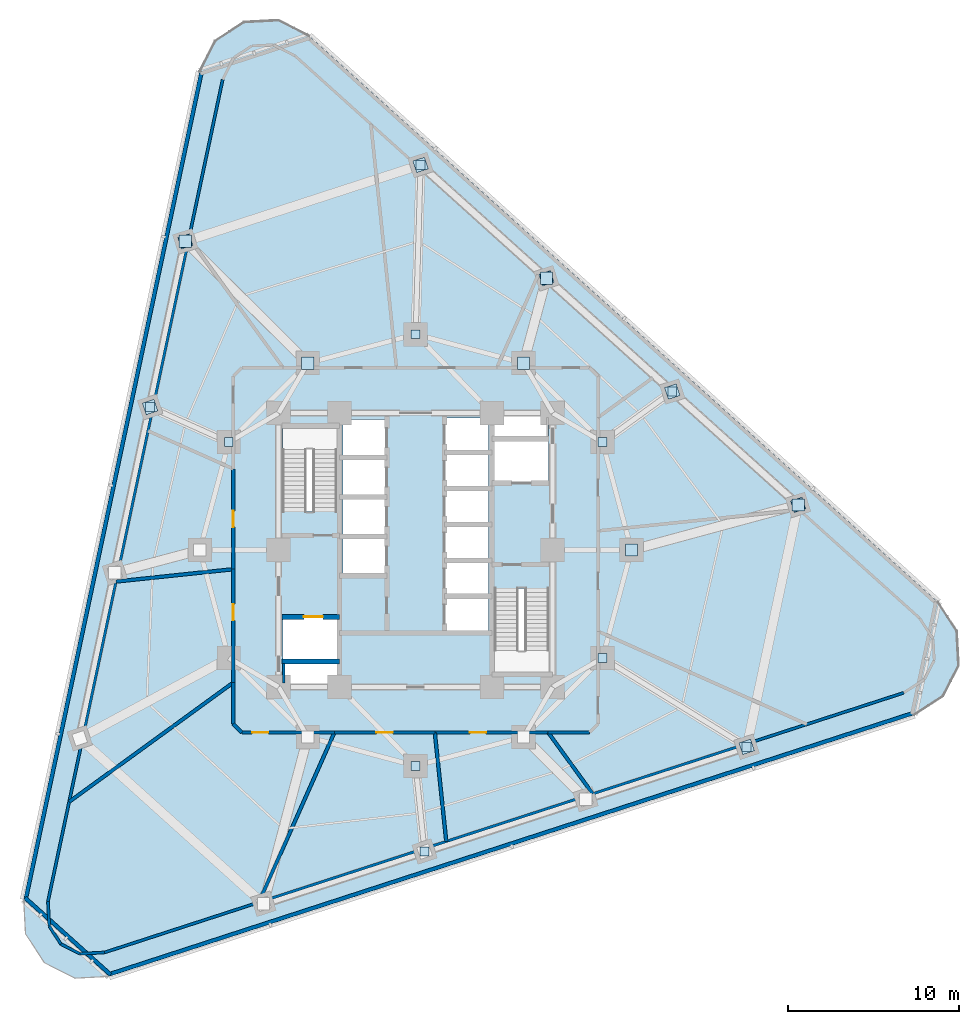
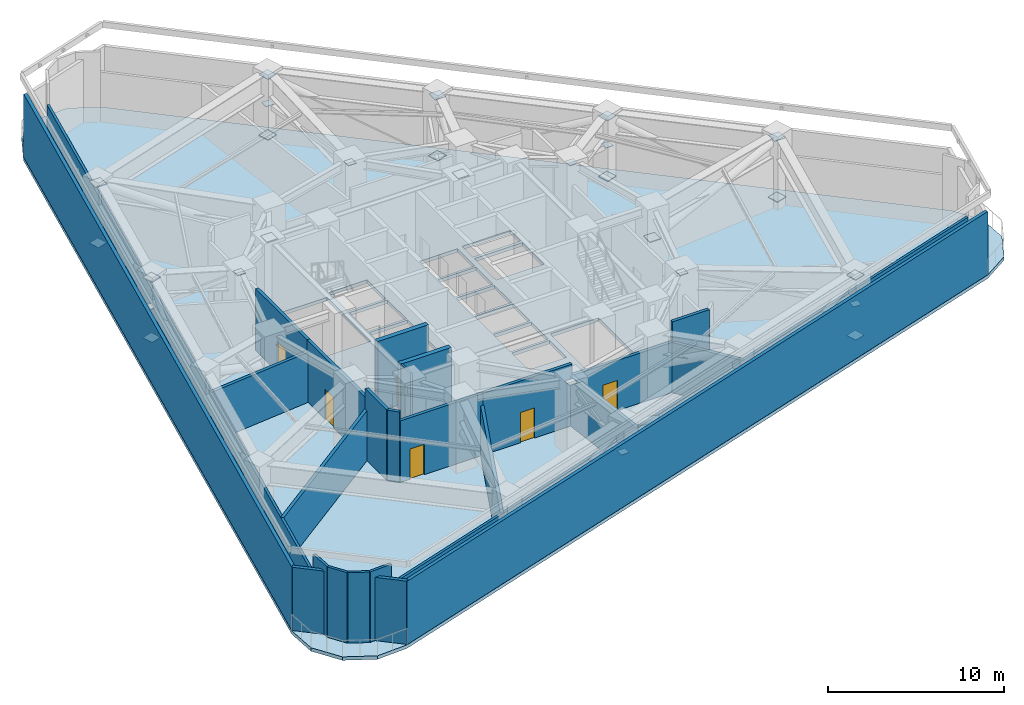
# One storey, part 3 of 10: 27 plates, 25 walls, 6 doors, 1 slab, 6 openings.
"""IFC4 building model written with IfcOpenShell, lengths in metres."""

from ifc_helpers import new_model, si_unit, direction, frame, frame_2d, origin, origin_2d, place, context, subcontext, project, spatial, polyline, rectangle, outline, extrude, material, layer, layer_set, type_object, element, fill, save


model = new_model("IFC4")

# Units and contexts
model_context = context("Model", 3, precision=1e-05, world=origin(), true_north=direction((0.0, 1.0)))
body_context = subcontext(model_context, "Body", "Model", "MODEL_VIEW")
ifc_project = project(units=[si_unit("LENGTHUNIT", "METRE"), si_unit("AREAUNIT", "SQUARE_METRE"), si_unit("VOLUMEUNIT", "CUBIC_METRE"), si_unit("PLANEANGLEUNIT", "RADIAN"), si_unit("MASSUNIT", "GRAM", prefix="KILO")], contexts=[model_context])

# Site, building, storey
site_placement = place(None, origin())
site = spatial("IfcSite", under=ifc_project, at=site_placement, CompositionType="ELEMENT")
building_placement = place(site_placement, origin())
building = spatial("IfcBuilding", under=site, at=building_placement, Name="Terralouvre Media Tower", CompositionType="ELEMENT")
storey_placement = place(building_placement, frame((0.0, 0.0, 85.199951171875)))
storey = spatial("IfcBuildingStorey", under=building, at=storey_placement, Name="L21", CompositionType="ELEMENT", Elevation=85.199951171875)

# Plates
ifc_material_1 = material(Name="Structural steel S355J2", Category="steel")
ifc_layer_1 = layer(ifc_material_1, 0.028076171875, Name="Crown Rib End-Cap Node Plate ND-CR1")
ifc_layer_set_1 = layer_set([ifc_layer_1], Name="Structural steel S355J2")
plate_type_1 = type_object("IfcPlateType", Name="Crown Rib End-Cap Node Plate ND-CR1", PredefinedType="SHEET", material=ifc_layer_set_1)
for number, where, z_axis, x_axis, name in (
    (1, (0.0, -12.60009765625, 4.5361328125), (0.0, 0.0, 1.0), (1.0, 0.0, 0.0), "L21 Strut Base Plate 01"),
    (2, (0.52099609375, -17.6025390625, 2.5361328125), (0.0, 0.0, 1.0), (1.0, 0.0, 0.0), "L21 Strut Top Plate 01"),
    (3, (10.911865234375, -6.300048828125, 4.5361328125), (0.0, 0.0, 1.0), (1.0, 0.0, 0.0), "L21 Strut Base Plate 02"),
    (4, (19.3291015625, -11.491455078125, 2.5361328125), (0.0, 0.0, 1.0), (1.0, 0.0, 0.0), "L21 Strut Top Plate 02"),
    (5, (10.911865234375, 6.300048828125, 4.5361328125), (0.0, 0.0, 1.0), (1.0, 0.0, 0.0), "L21 Strut Base Plate 03"),
    (6, (14.98388671875, 9.25244140625, 2.5361328125), (0.0, 0.0, 1.0), (1.0, 0.0, 0.0), "L21 Strut Top Plate 03"),
    (7, (0.0, 12.60009765625, 4.5361328125), (0.0, 0.0, 1.0), (1.0, 0.0, 0.0), "L21 Strut Base Plate 04"),
    (8, (0.287353515625, 22.4853515625, 2.5361328125), (0.0, 0.0, 1.0), (1.0, 0.0, 0.0), "L21 Strut Top Plate 04"),
    (9, (-10.911865234375, 6.300048828125, 4.5361328125), (0.0, 0.0, 1.0), (1.0, 0.0, 0.0), "L21 Strut Base Plate 05"),
    (10, (-15.5048828125, 8.35009765625, 2.5361328125), (0.0, 0.0, 1.0), (1.0, 0.0, 0.0), "L21 Strut Top Plate 05"),
):
    element("IfcPlate", number, at=place(storey_placement, frame(where, z_axis=z_axis, x_axis=x_axis)), inside=storey, type_object=plate_type_1, Name=name, PredefinedType="SHEET", context=body_context, shape_type="SweptSolid", body=[
        extrude(rectangle(XDim=0.52001953125, YDim=0.52001953125, at=origin_2d()), origin(), (0.0, 0.0, 1.0), 0.028076171875),
    ])

# Slab
ifc_material_2 = material(Name="Concrete C45/55", Category="concrete")
ifc_layer_2 = layer(ifc_material_2, 0.239990234375, Name="Refuge Fire-Barrier Slab S-REF240")
ifc_layer_set_2 = layer_set([ifc_layer_2], Name="Concrete C45/55")
slab_type = type_object("IfcSlabType", Name="Refuge Fire-Barrier Slab S-REF240", PredefinedType="FLOOR", material=ifc_layer_set_2)
slab_placement = place(storey_placement, frame((0.0, 0.0, -0.239990234375), z_axis=(0.0, 0.0, 1.0), x_axis=(0.951056516295, 0.309016994375, 0.0)))
element("IfcSlab", 11, at=slab_placement, inside=storey, type_object=slab_type, Name="L21 Structural Floor Slab", PredefinedType="FLOOR", context=body_context, shape_type="SweptSolid", body=[
    extrude(outline(polyline([(-28.080078125, -12.33203125), (-28.60009765625, -14.272216796875), (-28.080078125, -16.212158203125), (-26.659912109375, -17.63232421875), (-24.719970703125, -18.152099609375), (24.719970703125, -18.152099609375), (26.659912109375, -17.63232421875), (28.080078125, -16.212158203125), (28.60009765625, -14.272216796875), (28.080078125, -12.33203125), (3.360107421875, 30.484130859375), (1.93994140625, 31.904296875), (0.0, 32.424072265625), (-1.93994140625, 31.904296875), (-3.360107421875, 30.484130859375), (-28.080078125, -12.33203125)]), holes=[polyline([(-6.78515625, -5.996826171875), (-9.781005859375, -5.0234375), (-9.41015625, -3.882080078125), (-6.414306640625, -4.85546875), (-6.78515625, -5.996826171875)]), polyline([(-6.3525390625, -4.665283203125), (-9.348388671875, -3.69189453125), (-8.59130859375, -1.36181640625), (-5.595458984375, -2.335205078125), (-6.3525390625, -4.665283203125)]), polyline([(-2.103271484375, -0.809814453125), (-4.480712890625, -0.037109375), (-3.819580078125, 1.998046875), (-1.44189453125, 1.2255859375), (-2.103271484375, -0.809814453125)]), polyline([(-1.392333984375, 1.377685546875), (-3.77001953125, 2.150146484375), (-3.108642578125, 4.185546875), (-0.731201171875, 3.4130859375), (-1.392333984375, 1.377685546875)]), polyline([(4.5302734375, 0.189453125), (2.152587890625, 0.9619140625), (2.752197265625, 2.806884765625), (5.129638671875, 2.034423828125), (4.5302734375, 0.189453125)]), polyline([(-0.681640625, 3.565185546875), (-3.059326171875, 4.337646484375), (-2.39794921875, 6.373046875), (-0.020263671875, 5.600341796875), (-0.681640625, 3.565185546875)]), polyline([(-3.68115234375, 3.556640625), (-6.70556640625, 4.539306640625), (-5.15576171875, 9.308837890625), (-2.13134765625, 8.326171875), (-3.68115234375, 3.556640625)]), polyline([(0.029052734375, 5.752685546875), (-2.3486328125, 6.525146484375), (-1.687255859375, 8.560302734375), (0.6904296875, 7.787841796875), (0.029052734375, 5.752685546875)]), polyline([(3.68115234375, -3.556640625), (6.70556640625, -4.539306640625), (5.15576171875, -9.308837890625), (2.13134765625, -8.326171875), (3.68115234375, -3.556640625)]), polyline([(2.58349609375, -5.80224609375), (0.205810546875, -5.02978515625), (0.80517578125, -3.184814453125), (3.182861328125, -3.957275390625), (2.58349609375, -5.80224609375)]), polyline([(3.232421875, -3.80517578125), (0.854736328125, -3.032470703125), (1.4541015625, -1.1875), (3.831787109375, -1.9599609375), (3.232421875, -3.80517578125)]), polyline([(3.88134765625, -1.807861328125), (1.503662109375, -1.035400390625), (2.103271484375, 0.809814453125), (4.480712890625, 0.037109375), (3.88134765625, -1.807861328125)]), polyline([(5.17919921875, 2.1865234375), (2.801513671875, 2.959228515625), (3.401123046875, 4.80419921875), (5.778564453125, 4.031494140625), (5.17919921875, 2.1865234375)]), polyline([(8.59130859375, 1.36181640625), (5.595458984375, 2.335205078125), (6.3525390625, 4.665283203125), (9.348388671875, 3.69189453125), (8.59130859375, 1.36181640625)]), polyline([(5.828125, 4.183837890625), (3.450439453125, 4.956298828125), (4.050048828125, 6.80126953125), (6.427490234375, 6.02880859375), (5.828125, 4.183837890625)]), polyline([(9.41015625, 3.882080078125), (6.414306640625, 4.85546875), (6.78515625, 5.996826171875), (9.781005859375, 5.0234375), (9.41015625, 3.882080078125)])]), origin(), (0.0, 0.0, 1.0), 0.239990234375),
])

# Plates
ifc_material_3 = material(Name="Structural steel S460M", Category="steel")
ifc_layer_3 = layer(ifc_material_3, 0.035888671875, Name="Welded Belt-Truss Gusset Node Plate ND-BT1")
ifc_layer_set_3 = layer_set([ifc_layer_3], Name="Structural steel S460M")
plate_type_2 = type_object("IfcPlateType", Name="Welded Belt-Truss Gusset Node Plate ND-BT1", PredefinedType="SHEET", material=ifc_layer_set_3)
for number, where, z_axis, x_axis, name in (
    (12, (19.3291015625, -11.491455078125, 0.33203125), (0.0, 0.0, 1.0), (0.951056516295, 0.309016994375, 0.0), "L21 Belt-Truss Welded Node Plate ND-10"),
    (13, (19.3291015625, -11.491455078125, 4.5322265625), (0.0, 0.0, 1.0), (0.951056516295, 0.309016994375, 0.0), "L21 Belt-Truss Welded Node Plate ND-12"),
    (14, (22.33203125, 2.63623046875, 0.33203125), (0.0, 0.0, 1.0), (0.951056516295, 0.309016994375, 0.0), "L21 Belt-Truss Welded Node Plate ND-13"),
    (15, (14.98388671875, 9.25244140625, 0.33203125), (0.0, 0.0, 1.0), (0.951056516295, 0.309016994375, 0.0), "L21 Belt-Truss Welded Node Plate ND-14"),
    (16, (14.98388671875, 9.25244140625, 4.5322265625), (0.0, 0.0, 1.0), (0.951056516295, 0.309016994375, 0.0), "L21 Belt-Truss Welded Node Plate ND-16"),
    (17, (7.635498046875, 15.868896484375, 0.33203125), (0.0, 0.0, 1.0), (0.951056516295, 0.309016994375, 0.0), "L21 Belt-Truss Welded Node Plate ND-18"),
    (18, (0.287353515625, 22.4853515625, 0.33203125), (0.0, 0.0, 1.0), (0.951056516295, 0.309016994375, 0.0), "L21 Belt-Truss Welded Node Plate ND-22"),
    (19, (0.287353515625, 22.4853515625, 4.5322265625), (0.0, 0.0, 1.0), (0.951056516295, 0.309016994375, 0.0), "L21 Belt-Truss Welded Node Plate ND-24"),
    (20, (-13.448974609375, 18.02197265625, 0.33203125), (0.0, 0.0, 1.0), (0.951056516295, 0.309016994375, 0.0), "L21 Belt-Truss Welded Node Plate ND-25"),
    (21, (-15.5048828125, 8.35009765625, 0.33203125), (0.0, 0.0, 1.0), (0.951056516295, 0.309016994375, 0.0), "L21 Belt-Truss Welded Node Plate ND-26"),
    (22, (-15.5048828125, 8.35009765625, 4.5322265625), (0.0, 0.0, 1.0), (0.951056516295, 0.309016994375, 0.0), "L21 Belt-Truss Welded Node Plate ND-28"),
    (23, (12.60009765625, 0.0, 2.5322265625), (0.0, 0.0, 1.0), (1.0, 0.0, 0.0), "L21 Outrigger Welded Node Plate ND-41"),
    (24, (22.33203125, 2.63623046875, 4.5322265625), (0.0, 0.0, 1.0), (1.0, 0.0, 0.0), "L21 Outrigger Welded Node Plate ND-42"),
    (25, (6.300048828125, 10.911865234375, 2.5322265625), (0.0, 0.0, 1.0), (1.0, 0.0, 0.0), "L21 Outrigger Welded Node Plate ND-43"),
    (26, (7.635498046875, 15.868896484375, 4.5322265625), (0.0, 0.0, 1.0), (1.0, 0.0, 0.0), "L21 Outrigger Welded Node Plate ND-44"),
    (27, (-6.300048828125, 10.911865234375, 2.5322265625), (0.0, 0.0, 1.0), (1.0, 0.0, 0.0), "L21 Outrigger Welded Node Plate ND-45"),
    (28, (-13.448974609375, 18.02197265625, 4.5322265625), (0.0, 0.0, 1.0), (1.0, 0.0, 0.0), "L21 Outrigger Welded Node Plate ND-46"),
):
    element("IfcPlate", number, at=place(storey_placement, frame(where, z_axis=z_axis, x_axis=x_axis)), inside=storey, type_object=plate_type_2, Name=name, PredefinedType="SHEET", context=body_context, shape_type="SweptSolid", body=[
        extrude(rectangle(XDim=0.719970703125, YDim=0.719970703125, at=origin_2d()), origin(), (0.0, 0.0, 1.0), 0.035888671875),
    ])

# Wall, opening, door
ifc_material_4 = material(Name="Concrete C50/60", Category="concrete")
ifc_layer_4 = layer(ifc_material_4, 0.300048828125, Name="Core Internal Shaft Wall CW-300")
ifc_layer_set_4 = layer_set([ifc_layer_4], Name="Concrete C50/60")
wall_type_1 = type_object("IfcWallType", Name="Core Internal Shaft Wall CW-300", PredefinedType="SHEAR", material=ifc_layer_set_4)
wall_1_placement = place(storey_placement, frame((-7.7900390625, -3.89990234375, 0.0), z_axis=(0.0, 0.0, 1.0), x_axis=(1.0, 0.0, 0.0)))
wall_1 = element("IfcWall", 29, at=wall_1_placement, inside=storey, type_object=wall_type_1, Name="L21 Core Shaft Wall FF1N", PredefinedType="SHEAR", context=body_context, shape_type="SweptSolid", body=[
    extrude(rectangle(XDim=3.340087890625, YDim=0.300048828125, at=frame_2d((1.669921875, 0.0))), origin(), (0.0, 0.0, 1.0), 4.900146484375),
])
opening_1_placement = place(wall_1_placement, frame((1.27001953125, 0.0, 0.0)))
opening_1 = element("IfcOpeningElement", 30, at=opening_1_placement, cuts=wall_1, Name="Opening LD-FF", PredefinedType="OPENING", context=body_context, shape_type="SweptSolid", body=[
    extrude(rectangle(XDim=1.10009765625, YDim=2.10009765625, at=frame_2d((0.550048828125, 1.050048828125))), frame((0.0, 0.159912109375, 0.0), z_axis=(0.0, -1.0, 0.0), x_axis=(1.0, 0.0, 0.0)), (0.0, 0.0, 1.0), 0.320068359375),
])
ifc_material_5 = material(Name="Stainless steel 316 handrail and balustrade", Category="steel")
door_type_1 = type_object("IfcDoorType", Name="Firefighting Lift Sliding Landing Door LD-FF", OperationType="SLIDING_TO_LEFT", PredefinedType="DOOR", material=ifc_material_5)
door_1_placement = place(opening_1_placement, origin())
door_1 = element("IfcDoor", 31, at=door_1_placement, inside=storey, type_object=door_type_1, Name="L21 Firefighting Lift FFL-01 Landing Door", OperationType="SLIDING_TO_LEFT", OverallHeight=2.10009765625, OverallWidth=1.10009765625, PredefinedType="DOOR", context=body_context, shape_type="SweptSolid", body=[
    extrude(rectangle(XDim=1.10009765625, YDim=2.10009765625, at=frame_2d((0.550048828125, 1.050048828125))), frame((0.0, 0.02490234375, 0.0), z_axis=(0.0, -1.0, 0.0), x_axis=(1.0, 0.0, 0.0)), (0.0, 0.0, 1.0), 0.050048828125),
])
fill(opening_1, door_1)

# Walls
wall_2_placement = place(storey_placement, frame((-7.7900390625, -6.5, 0.0), z_axis=(0.0, 0.0, 1.0), x_axis=(1.0, 0.0, 0.0)))
element("IfcWall", 32, at=wall_2_placement, inside=storey, type_object=wall_type_1, Name="L21 Core Shaft Wall FF1S", PredefinedType="SHEAR", context=body_context, shape_type="SweptSolid", body=[
    extrude(rectangle(XDim=3.340087890625, YDim=0.300048828125, at=frame_2d((1.669921875, 0.0))), origin(), (0.0, 0.0, 1.0), 4.900146484375),
])
ifc_material_6 = material(Name="Fire-rated gypsum board drywall partition")
ifc_layer_5 = layer(ifc_material_6, 0.199951171875, Name="Fire-Rated Shaft and Lobby Partition FW-200")
ifc_layer_set_5 = layer_set([ifc_layer_5], Name="Fire-rated gypsum board drywall partition")
wall_type_2 = type_object("IfcWallType", Name="Fire-Rated Shaft and Lobby Partition FW-200", PredefinedType="SOLIDWALL", material=ifc_layer_set_5)
for number, where, z_axis, x_axis, name in (
    (33, (-21.46728515625, -20.51806640625, 0.0), (0.0, 0.0, 1.0), (0.207911659575, 0.978147607375, 0.0), "L21 Belt-Truss Acoustic Plenum Liner Wall 01"),
    (34, (28.5029296875, -8.33203125, 0.0), (0.0, 0.0, 1.0), (-0.951056261584, -0.309017778296, 0.0), "L21 Belt-Truss Acoustic Plenum Liner Wall 11"),
):
    element("IfcWall", number, at=place(storey_placement, frame(where, z_axis=z_axis, x_axis=x_axis)), inside=storey, type_object=wall_type_2, Name=name, PredefinedType="SOLIDWALL", context=body_context, shape_type="SweptSolid", body=[
        extrude(rectangle(XDim=49.066162109375, YDim=0.159912109375, at=frame_2d((24.533203125, 0.0))), origin(), (0.0, 0.0, 1.0), 3.485107421875),
    ])
wall_3_placement = place(storey_placement, frame((-18.161865234375, -23.494384765625, 0.0), z_axis=(0.0, 0.0, 1.0), x_axis=(-0.998628573364, -0.05235429745, 0.0)))
element("IfcWall", 35, at=wall_3_placement, inside=storey, type_object=wall_type_2, Name="L21 Belt-Truss Acoustic Plenum Liner Wall 12", PredefinedType="SOLIDWALL", context=body_context, shape_type="SweptSolid", body=[
    extrude(rectangle(XDim=1.44091796875, YDim=0.159912109375, at=frame_2d((0.720458984375, 0.0))), origin(), (0.0, 0.0, 1.0), 4.900146484375),
])
wall_4_placement = place(storey_placement, frame((-19.600830078125, -23.56982421875, 0.0), z_axis=(0.0, 0.0, 1.0), x_axis=(-0.890996183408, 0.454010794093, 0.0)))
element("IfcWall", 36, at=wall_4_placement, inside=storey, type_object=wall_type_2, Name="L21 Belt-Truss Acoustic Plenum Liner Wall 13", PredefinedType="SOLIDWALL", context=body_context, shape_type="SweptSolid", body=[
    extrude(rectangle(XDim=1.24755859375, YDim=0.159912109375, at=frame_2d((0.623779296875, 0.0))), origin(), (0.0, 0.0, 1.0), 4.900146484375),
])
wall_5_placement = place(storey_placement, frame((-20.71240234375, -23.00341796875, 0.0), z_axis=(0.0, 0.0, 1.0), x_axis=(-0.544678744448, 0.838644779001, 0.0)))
element("IfcWall", 37, at=wall_5_placement, inside=storey, type_object=wall_type_2, Name="L21 Belt-Truss Acoustic Plenum Liner Wall 14", PredefinedType="SOLIDWALL", context=body_context, shape_type="SweptSolid", body=[
    extrude(rectangle(XDim=1.247314453125, YDim=0.159912109375, at=frame_2d((0.62353515625, 0.0))), origin(), (0.0, 0.0, 1.0), 4.900146484375),
])
wall_6_placement = place(storey_placement, frame((-21.391845703125, -21.957275390625, 0.0), z_axis=(0.0, 0.0, 1.0), x_axis=(-0.05234544065, 0.998629037653, 0.0)))
element("IfcWall", 38, at=wall_6_placement, inside=storey, type_object=wall_type_2, Name="L21 Belt-Truss Acoustic Plenum Liner Wall 15", PredefinedType="SOLIDWALL", context=body_context, shape_type="SweptSolid", body=[
    extrude(rectangle(XDim=1.441162109375, YDim=0.159912109375, at=frame_2d((0.720703125, 0.0))), origin(), (0.0, 0.0, 1.0), 4.900146484375),
])

# Wall, opening, door
wall_7_placement = place(storey_placement, frame((-10.64990234375, -1.118896484375, 0.0), z_axis=(0.0, 0.0, 1.0), x_axis=(0.0, -1.0, 0.0)))
wall_7 = element("IfcWall", 39, at=wall_7_placement, inside=storey, type_object=wall_type_2, Name="L21 Interior Partition 001", PredefinedType="SOLIDWALL", context=body_context, shape_type="SweptSolid", body=[
    extrude(rectangle(XDim=6.619140625, YDim=0.199951171875, at=frame_2d((3.3095703125, 0.0))), origin(), (0.0, 0.0, 1.0), 4.28515625),
])
opening_2_placement = place(wall_7_placement, frame((2.040283203125, 0.0, 0.0)))
opening_2 = element("IfcOpeningElement", 40, at=opening_2_placement, cuts=wall_7, Name="Opening FD-02-95X210", PredefinedType="OPENING", context=body_context, shape_type="SweptSolid", body=[
    extrude(rectangle(XDim=0.949951171875, YDim=2.10009765625, at=frame_2d((0.47509765625, 1.050048828125))), frame((0.0, 0.10986328125, 0.0), z_axis=(0.0, -1.0, 0.0), x_axis=(1.0, 0.0, 0.0)), (0.0, 0.0, 1.0), 0.219970703125),
])
ifc_material_7 = material(Name="Galvanised steel fire-resisting leaf", Category="steel")
door_type_2 = type_object("IfcDoorType", Name="Plant and Riser Fire Door FD-02 (950x2100)", OperationType="NOTDEFINED", PredefinedType="DOOR", material=ifc_material_7)
door_2_placement = place(opening_2_placement, origin())
door_2 = element("IfcDoor", 41, at=door_2_placement, inside=storey, type_object=door_type_2, Name="L21 Designated Pressurised Refuge Holding Area West Door", OperationType="SINGLE_SWING_RIGHT", OverallHeight=2.10009765625, OverallWidth=0.949951171875, PredefinedType="DOOR", context=body_context, shape_type="SweptSolid", body=[
    extrude(rectangle(XDim=0.949951171875, YDim=2.10009765625, at=frame_2d((0.47509765625, 1.050048828125))), frame((0.0, 0.02490234375, 0.0), z_axis=(0.0, -1.0, 0.0), x_axis=(1.0, 0.0, 0.0)), (0.0, 0.0, 1.0), 0.050048828125),
])
fill(opening_2, door_2)

# Walls
wall_8_placement = place(storey_placement, frame((-10.64990234375, -7.738037109375, 0.0), z_axis=(0.0, 0.0, 1.0), x_axis=(0.0, -1.0, 0.0)))
element("IfcWall", 42, at=wall_8_placement, inside=storey, type_object=wall_type_2, Name="L21 Interior Partition 002", PredefinedType="SOLIDWALL", context=body_context, shape_type="SweptSolid", body=[
    extrude(rectangle(XDim=2.411865234375, YDim=0.199951171875, at=frame_2d((1.2060546875, 0.0))), origin(), (0.0, 0.0, 1.0), 4.900146484375),
])
wall_9_placement = place(storey_placement, frame((-10.64990234375, -10.14990234375, 0.0), z_axis=(0.0, 0.0, 1.0), x_axis=(0.707106781187, -0.707106781187, 0.0)))
element("IfcWall", 43, at=wall_9_placement, inside=storey, type_object=wall_type_2, Name="L21 Interior Partition 003", PredefinedType="SOLIDWALL", context=body_context, shape_type="SweptSolid", body=[
    extrude(rectangle(XDim=0.70703125, YDim=0.199951171875, at=frame_2d((0.353515625, 0.0))), origin(), (0.0, 0.0, 1.0), 4.900146484375),
])

# Wall, opening, door
wall_10_placement = place(storey_placement, frame((-10.14990234375, -10.64990234375, 0.0), z_axis=(0.0, 0.0, 1.0), x_axis=(1.0, 0.0, 0.0)))
wall_10 = element("IfcWall", 44, at=wall_10_placement, inside=storey, type_object=wall_type_2, Name="L21 Interior Partition 004", PredefinedType="SOLIDWALL", context=body_context, shape_type="SweptSolid", body=[
    extrude(rectangle(XDim=5.407958984375, YDim=0.199951171875, at=frame_2d((2.7041015625, 0.0))), origin(), (0.0, 0.0, 1.0), 4.28515625),
])
opening_3_placement = place(wall_10_placement, frame((0.606689453125, 0.0, 0.0)))
opening_3 = element("IfcOpeningElement", 45, at=opening_3_placement, cuts=wall_10, Name="Opening FD-02-95X210", PredefinedType="OPENING", context=body_context, shape_type="SweptSolid", body=[
    extrude(rectangle(XDim=0.949951171875, YDim=2.10009765625, at=frame_2d((0.47509765625, 1.050048828125))), frame((0.0, 0.10986328125, 0.0), z_axis=(0.0, -1.0, 0.0), x_axis=(1.0, 0.0, 0.0)), (0.0, 0.0, 1.0), 0.219970703125),
])
door_3_placement = place(opening_3_placement, origin())
door_3 = element("IfcDoor", 46, at=door_3_placement, inside=storey, type_object=door_type_2, Name="L21 Mechanical AHU and Smoke-Extract Plant Room Door", OperationType="SINGLE_SWING_LEFT", OverallHeight=2.10009765625, OverallWidth=0.949951171875, PredefinedType="DOOR", context=body_context, shape_type="SweptSolid", body=[
    extrude(rectangle(XDim=0.949951171875, YDim=2.10009765625, at=frame_2d((0.47509765625, 1.050048828125))), frame((0.0, 0.02490234375, 0.0), z_axis=(0.0, -1.0, 0.0), x_axis=(1.0, 0.0, 0.0)), (0.0, 0.0, 1.0), 0.050048828125),
])
fill(opening_3, door_3)

wall_11_placement = place(storey_placement, frame((-4.741943359375, -10.64990234375, 0.0), z_axis=(0.0, 0.0, 1.0), x_axis=(1.0, 0.0, 0.0)))
wall_11 = element("IfcWall", 47, at=wall_11_placement, inside=storey, type_object=wall_type_2, Name="L21 Interior Partition 005", PredefinedType="SOLIDWALL", context=body_context, shape_type="SweptSolid", body=[
    extrude(rectangle(XDim=5.86083984375, YDim=0.199951171875, at=frame_2d((2.930419921875, 0.0))), origin(), (0.0, 0.0, 1.0), 4.28515625),
])
opening_4_placement = place(wall_11_placement, frame((2.45556640625, 0.0, 0.0)))
opening_4 = element("IfcOpeningElement", 48, at=opening_4_placement, cuts=wall_11, Name="Opening FD-02-95X210", PredefinedType="OPENING", context=body_context, shape_type="SweptSolid", body=[
    extrude(rectangle(XDim=0.949951171875, YDim=2.10009765625, at=frame_2d((0.47509765625, 1.050048828125))), frame((0.0, 0.10986328125, 0.0), z_axis=(0.0, -1.0, 0.0), x_axis=(1.0, 0.0, 0.0)), (0.0, 0.0, 1.0), 0.219970703125),
])
door_4_placement = place(opening_4_placement, origin())
door_4 = element("IfcDoor", 49, at=door_4_placement, inside=storey, type_object=door_type_2, Name="L21 Fire and Domestic Booster Pump Plant Room Door", OperationType="SINGLE_SWING_RIGHT", OverallHeight=2.10009765625, OverallWidth=0.949951171875, PredefinedType="DOOR", context=body_context, shape_type="SweptSolid", body=[
    extrude(rectangle(XDim=0.949951171875, YDim=2.10009765625, at=frame_2d((0.47509765625, 1.050048828125))), frame((0.0, 0.02490234375, 0.0), z_axis=(0.0, -1.0, 0.0), x_axis=(1.0, 0.0, 0.0)), (0.0, 0.0, 1.0), 0.050048828125),
])
fill(opening_4, door_4)

wall_12_placement = place(storey_placement, frame((1.118896484375, -10.64990234375, 0.0), z_axis=(0.0, 0.0, 1.0), x_axis=(1.0, 0.0, 0.0)))
wall_12 = element("IfcWall", 50, at=wall_12_placement, inside=storey, type_object=wall_type_2, Name="L21 Interior Partition 006", PredefinedType="SOLIDWALL", context=body_context, shape_type="SweptSolid", body=[
    extrude(rectangle(XDim=6.619140625, YDim=0.199951171875, at=frame_2d((3.3095703125, 0.0))), origin(), (0.0, 0.0, 1.0), 3.485107421875),
])
opening_5_placement = place(wall_12_placement, frame((2.040283203125, 0.0, 0.0)))
opening_5 = element("IfcOpeningElement", 51, at=opening_5_placement, cuts=wall_12, Name="Opening FD-02-95X210", PredefinedType="OPENING", context=body_context, shape_type="SweptSolid", body=[
    extrude(rectangle(XDim=0.949951171875, YDim=2.10009765625, at=frame_2d((0.47509765625, 1.050048828125))), frame((0.0, 0.10986328125, 0.0), z_axis=(0.0, -1.0, 0.0), x_axis=(1.0, 0.0, 0.0)), (0.0, 0.0, 1.0), 0.219970703125),
])
door_5_placement = place(opening_5_placement, origin())
door_5 = element("IfcDoor", 52, at=door_5_placement, inside=storey, type_object=door_type_2, Name="L21 Chilled-Water Heat-Exchanger Plant Room Door", OperationType="SINGLE_SWING_LEFT", OverallHeight=2.10009765625, OverallWidth=0.949951171875, PredefinedType="DOOR", context=body_context, shape_type="SweptSolid", body=[
    extrude(rectangle(XDim=0.949951171875, YDim=2.10009765625, at=frame_2d((0.47509765625, 1.050048828125))), frame((0.0, 0.02490234375, 0.0), z_axis=(0.0, -1.0, 0.0), x_axis=(1.0, 0.0, 0.0)), (0.0, 0.0, 1.0), 0.050048828125),
])
fill(opening_5, door_5)

# Wall
wall_13_placement = place(storey_placement, frame((7.738037109375, -10.64990234375, 0.0), z_axis=(0.0, 0.0, 1.0), x_axis=(1.0, 0.0, 0.0)))
element("IfcWall", 53, at=wall_13_placement, inside=storey, type_object=wall_type_2, Name="L21 Interior Partition 007", PredefinedType="SOLIDWALL", context=body_context, shape_type="SweptSolid", body=[
    extrude(rectangle(XDim=2.411865234375, YDim=0.199951171875, at=frame_2d((1.2060546875, 0.0))), origin(), (0.0, 0.0, 1.0), 4.900146484375),
])

# Wall, opening, door
wall_14_placement = place(storey_placement, frame((-10.64990234375, 4.741943359375, 0.0), z_axis=(0.0, 0.0, 1.0), x_axis=(0.0, -1.0, 0.0)))
wall_14 = element("IfcWall", 54, at=wall_14_placement, inside=storey, type_object=wall_type_2, Name="L21 Interior Partition 020", PredefinedType="SOLIDWALL", context=body_context, shape_type="SweptSolid", body=[
    extrude(rectangle(XDim=5.86083984375, YDim=0.199951171875, at=frame_2d((2.930419921875, 0.0))), origin(), (0.0, 0.0, 1.0), 4.28515625),
])
opening_6_placement = place(wall_14_placement, frame((2.45556640625, 0.0, 0.0)))
opening_6 = element("IfcOpeningElement", 55, at=opening_6_placement, cuts=wall_14, Name="Opening FD-02-95X210", PredefinedType="OPENING", context=body_context, shape_type="SweptSolid", body=[
    extrude(rectangle(XDim=0.949951171875, YDim=2.10009765625, at=frame_2d((0.47509765625, 1.050048828125))), frame((0.0, 0.10986328125, 0.0), z_axis=(0.0, -1.0, 0.0), x_axis=(1.0, 0.0, 0.0)), (0.0, 0.0, 1.0), 0.219970703125),
])
door_6_placement = place(opening_6_placement, origin())
door_6 = element("IfcDoor", 56, at=door_6_placement, inside=storey, type_object=door_type_2, Name="L21 Standby UPS Inverter Mechanical Plant Room Door", OperationType="SINGLE_SWING_LEFT", OverallHeight=2.10009765625, OverallWidth=0.949951171875, PredefinedType="DOOR", context=body_context, shape_type="SweptSolid", body=[
    extrude(rectangle(XDim=0.949951171875, YDim=2.10009765625, at=frame_2d((0.47509765625, 1.050048828125))), frame((0.0, 0.02490234375, 0.0), z_axis=(0.0, -1.0, 0.0), x_axis=(1.0, 0.0, 0.0)), (0.0, 0.0, 1.0), 0.050048828125),
])
fill(opening_6, door_6)

# Walls
wall_15_placement = place(storey_placement, frame((-20.22998046875, -14.697998046875, 0.0), z_axis=(0.0, 0.0, 1.0), x_axis=(0.809031982792, 0.587764621953, 0.0)))
element("IfcWall", 57, at=wall_15_placement, inside=storey, type_object=wall_type_2, Name="L21 Interior Partition 021", PredefinedType="SOLIDWALL", context=body_context, shape_type="SweptSolid", body=[
    extrude(rectangle(XDim=11.84130859375, YDim=0.199951171875, at=frame_2d((5.920654296875, 0.0))), origin(), (0.0, 0.0, 1.0), 3.485107421875),
])
wall_16_placement = place(storey_placement, frame((-10.64990234375, -1.118896484375, 0.0), z_axis=(0.0, 0.0, 1.0), x_axis=(-0.994513610577, -0.104607257762, 0.0)))
element("IfcWall", 58, at=wall_16_placement, inside=storey, type_object=wall_type_2, Name="L21 Interior Partition 022", PredefinedType="SOLIDWALL", context=body_context, shape_type="SweptSolid", body=[
    extrude(rectangle(XDim=6.885009765625, YDim=0.199951171875, at=frame_2d((3.4423828125, 0.0))), origin(), (0.0, 0.0, 1.0), 3.485107421875),
])
wall_17_placement = place(storey_placement, frame((-9.157958984375, -20.569091796875, 0.0), z_axis=(0.0, 0.0, 1.0), x_axis=(0.406714194676, 0.913555451984, 0.0)))
element("IfcWall", 59, at=wall_17_placement, inside=storey, type_object=wall_type_2, Name="L21 Interior Partition 023", PredefinedType="SOLIDWALL", context=body_context, shape_type="SweptSolid", body=[
    extrude(rectangle(XDim=10.857666015625, YDim=0.199951171875, at=frame_2d((5.4287109375, 0.0))), origin(), (0.0, 0.0, 1.0), 3.485107421875),
])
wall_18_placement = place(storey_placement, frame((1.7880859375, -17.01220703125, 0.0), z_axis=(0.0, 0.0, 1.0), x_axis=(-0.104603336042, 0.994514023073, 0.0)))
element("IfcWall", 60, at=wall_18_placement, inside=storey, type_object=wall_type_2, Name="L21 Interior Partition 024", PredefinedType="SOLIDWALL", context=body_context, shape_type="SweptSolid", body=[
    extrude(rectangle(XDim=6.3974609375, YDim=0.199951171875, at=frame_2d((3.19873046875, 0.0))), origin(), (0.0, 0.0, 1.0), 3.485107421875),
])
wall_19_placement = place(storey_placement, frame((10.341064453125, -14.233154296875, 0.0), z_axis=(0.0, 0.0, 1.0), x_axis=(-0.587732406508, 0.809055386448, 0.0)))
element("IfcWall", 61, at=wall_19_placement, inside=storey, type_object=wall_type_2, Name="L21 Interior Partition 025", PredefinedType="SOLIDWALL", context=body_context, shape_type="SweptSolid", body=[
    extrude(rectangle(XDim=4.428955078125, YDim=0.199951171875, at=frame_2d((2.21435546875, 0.0))), origin(), (0.0, 0.0, 1.0), 3.485107421875),
])
ifc_material_8 = material(Name="Fire-rated gypsum board drywall partition")
ifc_layer_6 = layer(ifc_material_8, 0.1201171875, Name="Low Technical Plinth Furring Wall PT-PL120")
ifc_layer_set_6 = layer_set([ifc_layer_6], Name="Fire-rated gypsum board drywall partition")
wall_type_3 = type_object("IfcWallType", Name="Low Technical Plinth Furring Wall PT-PL120", PredefinedType="PLUMBINGWALL", material=ifc_layer_set_6)
wall_20_placement = place(storey_placement, frame((-7.699951171875, -7.75, 0.0), z_axis=(0.0, 0.0, 1.0), x_axis=(0.0, 1.0, 0.0)))
element("IfcWall", 62, at=wall_20_placement, inside=storey, type_object=wall_type_3, Name="L21 Wet Riser Plumbing Furring Wall 1", PredefinedType="PLUMBINGWALL", context=body_context, shape_type="SweptSolid", body=[
    extrude(rectangle(XDim=1.1298828125, YDim=0.1201171875, at=frame_2d((0.56494140625, 0.0))), origin(), (0.0, 0.0, 1.0), 4.900146484375),
])
ifc_material_9 = material(Name="Kiln-fired architectural terracotta rainscreen cladding", Category="masonry")
ifc_layer_7 = layer(ifc_material_9, 0.260009765625, Name="Recessed Sky-Garden Acoustic Wall EW-SG260")
ifc_layer_set_7 = layer_set([ifc_layer_7], Name="Kiln-fired architectural terracotta rainscreen cladding")
wall_type_4 = type_object("IfcWallType", Name="Recessed Sky-Garden Acoustic Wall EW-SG260", PredefinedType="SOLIDWALL", material=ifc_layer_set_7)
for number, where, z_axis, x_axis, name in (
    (63, (-17.93798828125, -24.788330078125, 0.0), (0.0, 0.0, 1.0), (0.951057835347, 0.309012934721, 0.0), "L21 Facade Curtain Wall F0 Acoustic Plant Plinth Wall"),
    (64, (-12.49853515625, 27.928955078125, 0.0), (0.0, 0.0, 1.0), (-0.207909723978, -0.978148018796, 0.0), "L21 Facade Curtain Wall F2 Acoustic Plant Plinth Wall"),
):
    element("IfcWall", number, at=place(storey_placement, frame(where, z_axis=z_axis, x_axis=x_axis)), inside=storey, type_object=wall_type_4, Name=name, PredefinedType="SOLIDWALL", context=body_context, shape_type="SweptSolid", body=[
        extrude(rectangle(XDim=49.43994140625, YDim=0.219970703125, at=frame_2d((24.719970703125, 0.0))), origin(), (0.0, 0.0, 1.0), 4.400146484375),
    ])
wall_21_placement = place(storey_placement, frame((-22.80126953125, -20.3017578125, 0.0), z_axis=(0.0, 0.0, 1.0), x_axis=(0.743138776085, -0.669137324829, 0.0)))
element("IfcWall", 65, at=wall_21_placement, inside=storey, type_object=wall_type_4, Name="L21 Rounded Wind-Corner Curtain Wall C0 Acoustic Plant Plinth Wall", PredefinedType="SOLIDWALL", context=body_context, shape_type="SweptSolid", body=[
    extrude(rectangle(XDim=6.72021484375, YDim=0.219970703125, at=frame_2d((3.360107421875, 0.0))), origin(), (0.0, 0.0, 1.0), 4.400146484375),
])

save(model, "model.ifc")
